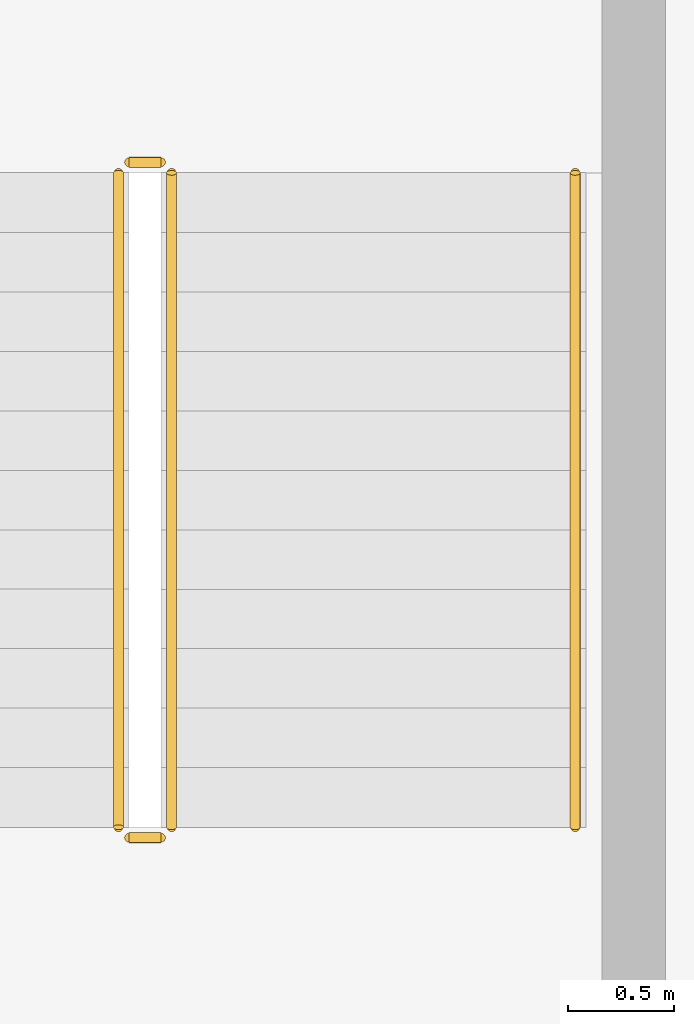
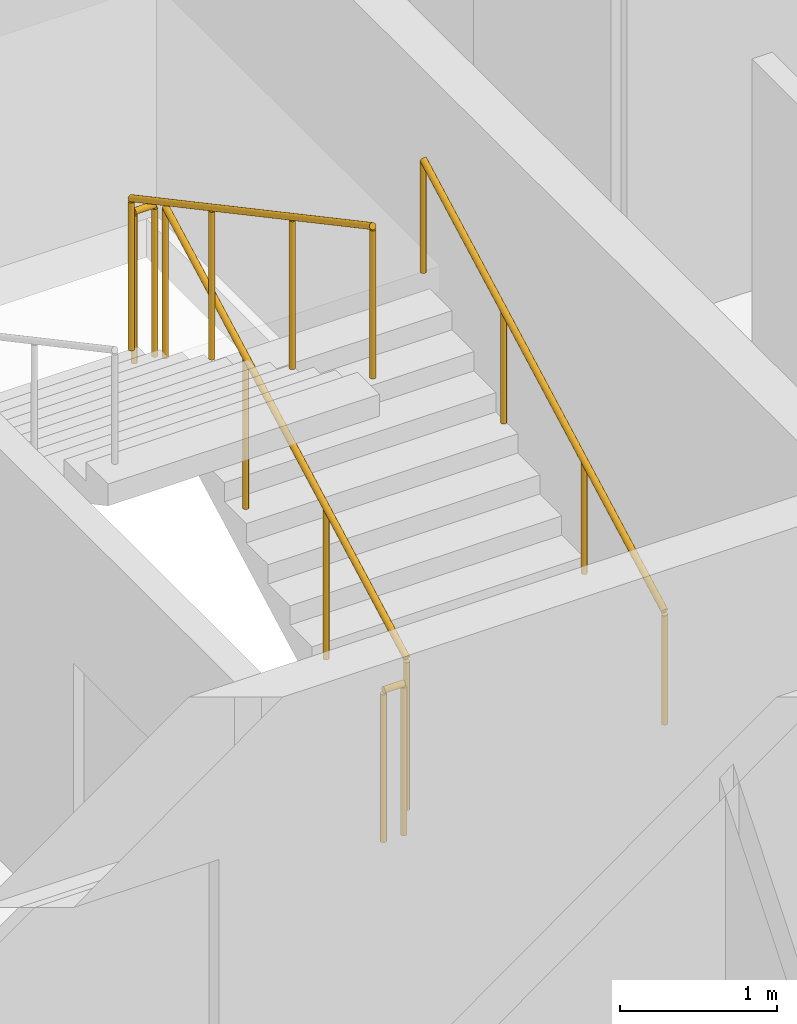
# One storey, part 17 of 17: 5 railings.
"""IFC4 building model written with IfcOpenShell, lengths in metres."""

from ifc_helpers import new_model, si_unit, direction, frame, origin, origin_2d, place, context, subcontext, project, spatial, circle, extrude, material, type_object, element, save


model = new_model("IFC4")

# Units and contexts
model_context = context("Model", 3, precision=1e-05, world=origin(), true_north=direction((0.0, 1.0)))
body_context = subcontext(model_context, "Body", "Model", "MODEL_VIEW")
ifc_project = project(units=[si_unit("LENGTHUNIT", "METRE"), si_unit("AREAUNIT", "SQUARE_METRE"), si_unit("VOLUMEUNIT", "CUBIC_METRE"), si_unit("PLANEANGLEUNIT", "RADIAN"), si_unit("MASSUNIT", "GRAM", prefix="KILO")], contexts=[model_context])

# Site, building, storey
site_placement = place(None, origin())
site = spatial("IfcSite", under=ifc_project, at=site_placement, CompositionType="ELEMENT")
building_placement = place(site_placement, origin())
building = spatial("IfcBuilding", under=site, at=building_placement, Name="Caravel Reach Hotel and Residences", CompositionType="ELEMENT")
storey_placement = place(building_placement, frame((0.0, 0.0, 136.800048828125)))
storey = spatial("IfcBuildingStorey", under=building, at=storey_placement, Name="L34", CompositionType="ELEMENT", Elevation=136.800048828125)

# Railings
ifc_material_1 = material(Name="Steel balustrade with glass infill", Category="steel")
railing_type_1 = type_object("IfcRailingType", Name="Guard 1200", PredefinedType="GUARDRAIL", material=ifc_material_1)
railing_1_placement = place(storey_placement, frame((42.824951171875, 24.64990234375, 0.14990234375)))
element("IfcRailing", 1, at=railing_1_placement, inside=storey, type_object=railing_type_1, Name="L34 ST-B stair guard 1", PredefinedType="GUARDRAIL", context=body_context, shape_type="SweptSolid", body=[
    extrude(circle(Radius=0.02392578125, at=origin_2d()), frame((0.0, 0.0, 1.17578125), z_axis=(0.0, 0.881467505477, 0.472244678941), x_axis=(-1.0, 0.0, 0.0)), (0.0, 0.0, 1.0), 3.494140625),
    extrude(circle(Radius=0.02099609375, at=origin_2d()), origin(), (0.0, 0.0, 1.0), 1.15185546875),
    extrude(circle(Radius=0.02099609375, at=origin_2d()), frame((0.0, 1.026611328125, 0.550048828125)), (0.0, 0.0, 1.0), 1.15185546875),
    extrude(circle(Radius=0.02099609375, at=origin_2d()), frame((0.0, 2.053466796875, 1.10009765625)), (0.0, 0.0, 1.0), 1.15185546875),
    extrude(circle(Radius=0.02099609375, at=origin_2d()), frame((0.0, 3.080078125, 1.650146484375)), (0.0, 0.0, 1.0), 1.15185546875),
])
railing_2_placement = place(storey_placement, frame((42.77490234375, 27.780029296875, 1.800048828125)))
element("IfcRailing", 2, at=railing_2_placement, inside=storey, type_object=railing_type_1, Name="L34 ST-B stair guard 2", PredefinedType="GUARDRAIL", context=body_context, shape_type="SweptSolid", body=[
    extrude(circle(Radius=0.02392578125, at=origin_2d()), frame((0.0, 0.0, 1.17578125), z_axis=(-1.0, 0.0, 0.0), x_axis=(0.0, -1.0, 0.0)), (0.0, 0.0, 1.0), 0.14990234375),
    extrude(circle(Radius=0.02099609375, at=origin_2d()), origin(), (0.0, 0.0, 1.0), 1.15185546875),
    extrude(circle(Radius=0.02099609375, at=origin_2d()), frame((-0.14990234375, 0.0, 0.0)), (0.0, 0.0, 1.0), 1.15185546875),
])
railing_3_placement = place(storey_placement, frame((42.574951171875, 27.72998046875, 1.949951171875)))
element("IfcRailing", 3, at=railing_3_placement, inside=storey, type_object=railing_type_1, Name="L34 ST-B stair guard 3", PredefinedType="GUARDRAIL", context=body_context, shape_type="SweptSolid", body=[
    extrude(circle(Radius=0.02392578125, at=origin_2d()), frame((0.0, 0.0, 1.17578125), z_axis=(0.0, -0.881496589024, 0.472190389079), x_axis=(1.0, 0.0, 0.0)), (0.0, 0.0, 1.0), 3.494140625),
    extrude(circle(Radius=0.02099609375, at=origin_2d()), origin(), (0.0, 0.0, 1.0), 1.15185546875),
    extrude(circle(Radius=0.02099609375, at=origin_2d()), frame((0.0, -1.026611328125, 0.550048828125)), (0.0, 0.0, 1.0), 1.15185546875),
    extrude(circle(Radius=0.02099609375, at=origin_2d()), frame((0.0, -2.053466796875, 1.099853515625)), (0.0, 0.0, 1.0), 1.15185546875),
    extrude(circle(Radius=0.02099609375, at=origin_2d()), frame((0.0, -3.080078125, 1.64990234375)), (0.0, 0.0, 1.0), 1.15185546875),
])
railing_4_placement = place(storey_placement, frame((42.77490234375, 24.60009765625, 0.0)))
element("IfcRailing", 4, at=railing_4_placement, inside=storey, type_object=railing_type_1, Name="L34 ST-B stair guard 4", PredefinedType="GUARDRAIL", context=body_context, shape_type="SweptSolid", body=[
    extrude(circle(Radius=0.02392578125, at=origin_2d()), frame((0.0, 0.0, 1.17578125), z_axis=(-1.0, 0.0, 0.0), x_axis=(0.0, -1.0, 0.0)), (0.0, 0.0, 1.0), 0.14990234375),
    extrude(circle(Radius=0.02099609375, at=origin_2d()), origin(), (0.0, 0.0, 1.0), 1.15185546875),
    extrude(circle(Radius=0.02099609375, at=origin_2d()), frame((-0.14990234375, 0.0, 0.0)), (0.0, 0.0, 1.0), 1.15185546875),
])
ifc_material_2 = material(Name="Stainless steel handrail", Category="steel")
railing_type_2 = type_object("IfcRailingType", Name="Handrail 900", PredefinedType="HANDRAIL", material=ifc_material_2)
railing_5_placement = place(storey_placement, frame((44.72509765625, 24.64990234375, 0.14990234375)))
element("IfcRailing", 5, at=railing_5_placement, inside=storey, type_object=railing_type_2, Name="L34 ST-B stair handrail 1", PredefinedType="HANDRAIL", context=body_context, shape_type="SweptSolid", body=[
    extrude(circle(Radius=0.02392578125, at=origin_2d()), frame((0.0, 0.0, 0.8759765625), z_axis=(0.0, 0.881467505477, 0.472244678941), x_axis=(-1.0, 0.0, 0.0)), (0.0, 0.0, 1.0), 3.494140625),
    extrude(circle(Radius=0.02099609375, at=origin_2d()), origin(), (0.0, 0.0, 1.0), 0.851806640625),
    extrude(circle(Radius=0.02099609375, at=origin_2d()), frame((0.0, 1.026611328125, 0.550048828125)), (0.0, 0.0, 1.0), 0.851806640625),
    extrude(circle(Radius=0.02099609375, at=origin_2d()), frame((0.0, 2.053466796875, 1.10009765625)), (0.0, 0.0, 1.0), 0.851806640625),
    extrude(circle(Radius=0.02099609375, at=origin_2d()), frame((0.0, 3.080078125, 1.650146484375)), (0.0, 0.0, 1.0), 0.851806640625),
])

save(model, "model.ifc")
